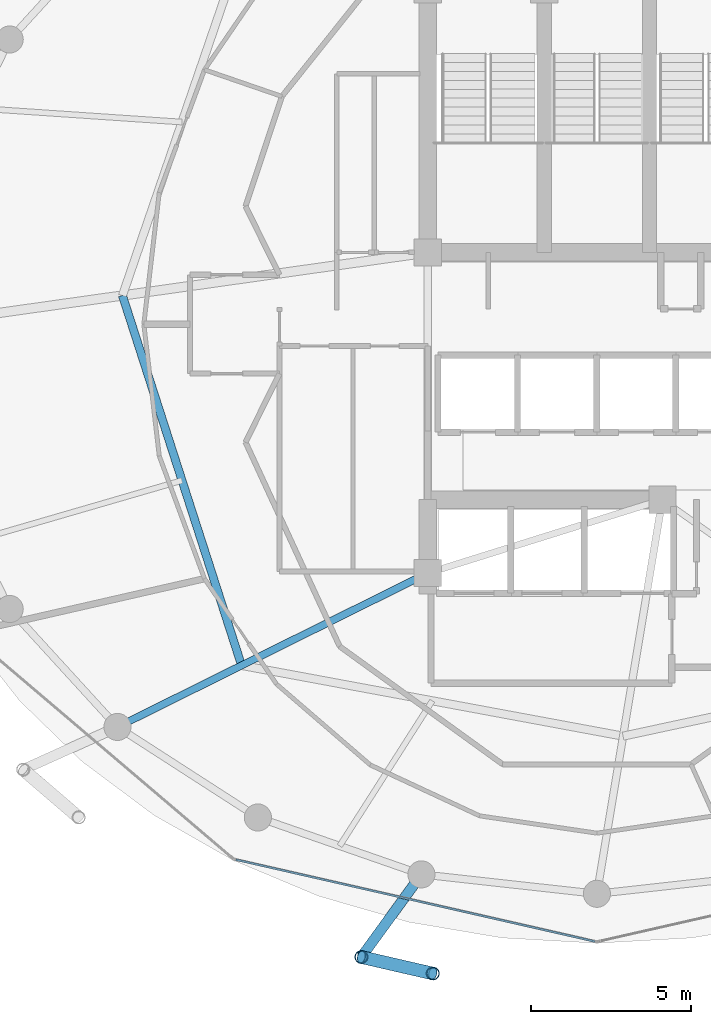
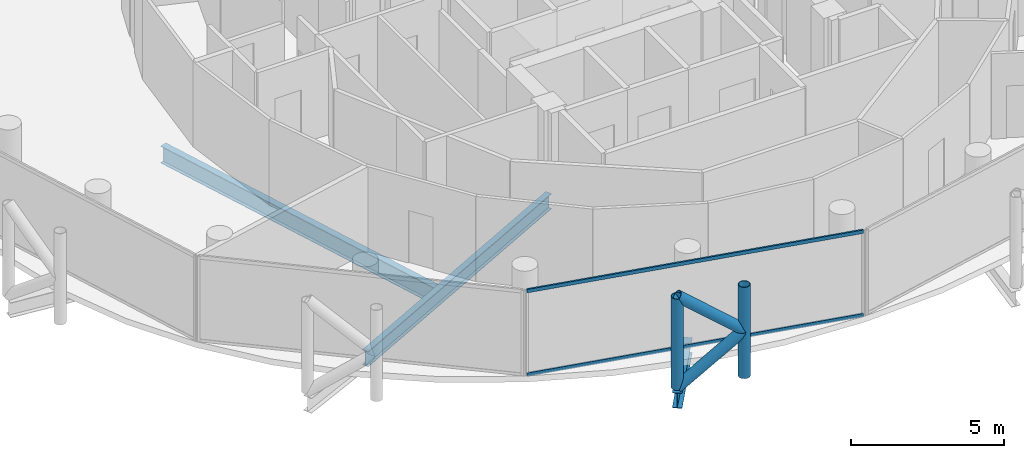
# One storey, part 4 of 27: 6 members, 3 beams, 1 element without a shape of its own.
"""IFC4 building model written with IfcOpenShell, lengths in metres."""

from ifc_helpers import new_model, si_unit, direction, frame, origin, origin_2d, place, context, subcontext, project, spatial, hollow_rectangle, hollow_circle, i_section, extrude, material, layer, layer_set, material_profile, profile_set, type_object, element, aggregate, save


model = new_model("IFC4")

# Units and contexts
model_context = context("Model", 3, precision=1e-05, world=origin(), true_north=direction((0.0, 1.0)))
body_context = subcontext(model_context, "Body", "Model", "MODEL_VIEW")
ifc_project = project(units=[si_unit("LENGTHUNIT", "METRE"), si_unit("AREAUNIT", "SQUARE_METRE"), si_unit("VOLUMEUNIT", "CUBIC_METRE"), si_unit("PLANEANGLEUNIT", "RADIAN"), si_unit("MASSUNIT", "GRAM", prefix="KILO")], contexts=[model_context])

# Site, building, storey
site_placement = place(None, origin())
site = spatial("IfcSite", under=ifc_project, at=site_placement, CompositionType="ELEMENT")
building_placement = place(site_placement, origin())
building = spatial("IfcBuilding", under=site, at=building_placement, Name="Nuhasar Tower", CompositionType="ELEMENT")
storey_placement = place(building_placement, frame((0.0, 0.0, 215.449951171875)))
storey = spatial("IfcBuildingStorey", under=building, at=storey_placement, Name="L52", CompositionType="ELEMENT", Elevation=215.449951171875)

# Beams
ifc_material_1 = material(Name="Steel S355", Category="steel")
ifc_material_profile_1 = material_profile(ifc_material_1, i_section(OverallWidth=0.25390625, OverallDepth=0.68408203125, WebThickness=0.012451171875, FlangeThickness=0.018798828125, at=origin_2d()), Name="W27X94")
ifc_profile_set_1 = profile_set([ifc_material_profile_1], Name="Steel S355")
beam_type_1 = type_object("IfcBeamType", Name="BM-INRING-W27X94", PredefinedType="BEAM", material=ifc_profile_set_1)
beam_1_placement = place(storey_placement, frame((24.1298828125, 27.699951171875, -0.58203125), z_axis=(0.306589852134, -0.951841721385, 0.0), x_axis=(0.951841721385, 0.306589852134, 0.0)))
element("IfcBeam", 1, at=beam_1_placement, inside=storey, type_object=beam_type_1, Name="L52 Inner Header Beam 08", PredefinedType="BEAM", context=body_context, shape_type="SweptSolid", body=[
    extrude(i_section(OverallWidth=0.25390625, OverallDepth=0.68408203125, WebThickness=0.012451171875, FlangeThickness=0.018798828125, at=origin_2d()), origin(), (0.0, 0.0, 1.0), 12.179443359375),
])
ifc_material_profile_2 = material_profile(ifc_material_1, i_section(OverallWidth=0.22900390625, OverallDepth=0.612060546875, WebThickness=0.011962890625, FlangeThickness=0.01953125, at=origin_2d()), Name="W24X84")
ifc_profile_set_2 = profile_set([ifc_material_profile_2], Name="Steel S355")
beam_type_2 = type_object("IfcBeamType", Name="BM-RAD-W24X84", PredefinedType="BEAM", material=ifc_profile_set_2)
beam_2_placement = place(storey_placement, frame((33.699951171875, 19.0, -0.5458984375), z_axis=(-0.895928935233, -0.444197414459, 0.0), x_axis=(0.444197414459, -0.895928935233, 0.0)))
element("IfcBeam", 2, at=beam_2_placement, inside=storey, type_object=beam_type_2, Name="L52 Radial Floor Girder 01", PredefinedType="BEAM", context=body_context, shape_type="SweptSolid", body=[
    extrude(i_section(OverallWidth=0.22900390625, OverallDepth=0.612060546875, WebThickness=0.011962890625, FlangeThickness=0.01953125, at=origin_2d()), origin(), (0.0, 0.0, 1.0), 10.85546875),
])
ifc_material_profile_3 = material_profile(ifc_material_1, i_section(OverallWidth=0.323974609375, OverallDepth=0.611083984375, WebThickness=0.0126953125, FlangeThickness=0.01904296875, at=origin_2d()), Name="W24X104")
ifc_profile_set_3 = profile_set([ifc_material_profile_3], Name="Steel S355")
beam_type_3 = type_object("IfcBeamType", Name="BM-TIE-W24X104", PredefinedType="BEAM", material=ifc_profile_set_3)
beam_3_placement = place(storey_placement, frame((33.5, 9.55810546875, -0.544921875), z_axis=(-0.588094663461, -0.808792103577, 0.0), x_axis=(0.808792103577, -0.588094663461, 0.0)))
element("IfcBeam", 3, at=beam_3_placement, inside=storey, type_object=beam_type_3, Name="L52 Exoskeleton Node Tie Beam 09", PredefinedType="BEAM", context=body_context, shape_type="SweptSolid", body=[
    extrude(i_section(OverallWidth=0.323974609375, OverallDepth=0.611083984375, WebThickness=0.0126953125, FlangeThickness=0.01904296875, at=origin_2d()), origin(), (0.0, 0.0, 1.0), 3.20361328125),
])

# Curtain wall, members
ifc_material_2 = material(Name="Aluminium 6063-T6", Category="aluminium")
ifc_layer = layer(ifc_material_2, 0.18994140625)
ifc_layer_set = layer_set([ifc_layer], Name="Aluminium 6063-T6")
curtain_wall_type = type_object("IfcCurtainWallType", Name="CW-Z3-RES", PredefinedType="NOTDEFINED", material=ifc_layer_set)
curtain_wall_placement = place(storey_placement, origin())
curtain_wall = element("IfcCurtainWall", 4, at=curtain_wall_placement, inside=storey, type_object=curtain_wall_type, Name="L52 Unitised Curtain Wall 09", PredefinedType="NOTDEFINED")
ifc_material_profile_4 = material_profile(ifc_material_2, hollow_rectangle(XDim=0.06494140625, YDim=0.139892578125, WallThickness=0.00439453125, at=origin_2d()), Name="CWT-4")
ifc_profile_set_4 = profile_set([ifc_material_profile_4], Name="Aluminium 6063-T6")
member_type_1 = type_object("IfcMemberType", Name="CW-TRN-S4", PredefinedType="USERDEFINED", material=ifc_profile_set_4)
member_1_placement = place(storey_placement, frame((27.683349609375, 10.01953125, 0.032470703125), z_axis=(0.974989487479, -0.222250982686, 0.0), x_axis=(0.222250982686, 0.974989487479, 0.0)))
member_1 = element("IfcMember", 5, at=member_1_placement, type_object=member_type_1, Name="CW-Z3 transom 1.1", ObjectType="TRANSOM", PredefinedType="USERDEFINED", context=body_context, shape_type="SweptSolid", body=[
    extrude(hollow_rectangle(XDim=0.06494140625, YDim=0.139892578125, WallThickness=0.00439453125, at=origin_2d()), origin(), (0.0, 0.0, 1.0), 11.541748046875),
])
member_2_placement = place(storey_placement, frame((27.683349609375, 10.01953125, 3.37744140625), z_axis=(0.974989487479, -0.222250982686, 0.0), x_axis=(0.222250982686, 0.974989487479, 0.0)))
member_2 = element("IfcMember", 6, at=member_2_placement, type_object=member_type_1, Name="CW-Z3 transom 1.2", ObjectType="TRANSOM", PredefinedType="USERDEFINED", context=body_context, shape_type="SweptSolid", body=[
    extrude(hollow_rectangle(XDim=0.06494140625, YDim=0.139892578125, WallThickness=0.00439453125, at=origin_2d()), origin(), (0.0, 0.0, 1.0), 11.541748046875),
])
aggregate(curtain_wall, [member_1, member_2])

# Members
ifc_material_3 = material(Name="Steel S460", Category="steel")
ifc_material_profile_5 = material_profile(ifc_material_3, hollow_circle(Radius=0.203125, WallThickness=0.01904296875, at=origin_2d()), Name="HSS406.4X19.1")
ifc_profile_set_5 = profile_set([ifc_material_profile_5], Name="Steel S460")
member_type_2 = type_object("IfcMemberType", Name="EXO-BRONZE-406", PredefinedType="BRACE", material=ifc_profile_set_5)
for number, where, z_axis, x_axis, name in (
    (7, (31.615966796875, 6.967041015625, 0.0), (0.0, 0.0, 1.0), (1.0, 0.0, 0.0), "L52 Exoskeleton Chord Column EC-09A"),
    (8, (33.85693359375, 6.450927734375, 0.0), (0.0, 0.0, 1.0), (1.0, 0.0, 0.0), "L52 Exoskeleton Chord Column EC-09B"),
):
    element("IfcMember", number, at=place(storey_placement, frame(where, z_axis=z_axis, x_axis=x_axis)), inside=storey, type_object=member_type_2, Name=name, PredefinedType="BRACE", context=body_context, shape_type="SweptSolid", body=[
        extrude(hollow_circle(Radius=0.203125, WallThickness=0.01904296875, at=origin_2d()), origin(), (0.0, 0.0, 1.0), 3.650146484375),
    ])
member_3_placement = place(storey_placement, frame((31.615966796875, 6.967041015625, 0.0), z_axis=(0.76333158458, -0.175801609086, 0.621625841021), x_axis=(0.224433035437, 0.97448951385, 0.0)))
element("IfcMember", 9, at=member_3_placement, inside=storey, type_object=member_type_2, Name="L52 Bronze Diagrid Brace W1-09", PredefinedType="BRACE", context=body_context, shape_type="SweptSolid", body=[
    extrude(hollow_circle(Radius=0.203125, WallThickness=0.01904296875, at=origin_2d()), origin(), (0.0, 0.0, 1.0), 2.935791015625),
])
member_4_placement = place(storey_placement, frame((33.85693359375, 6.450927734375, 1.824951171875), z_axis=(-0.763292124721, 0.175792521153, 0.621676862884), x_axis=(-0.224433035437, -0.97448951385, 0.0)))
element("IfcMember", 10, at=member_4_placement, inside=storey, type_object=member_type_2, Name="L52 Bronze Diagrid Brace W2-09", PredefinedType="BRACE", context=body_context, shape_type="SweptSolid", body=[
    extrude(hollow_circle(Radius=0.203125, WallThickness=0.01904296875, at=origin_2d()), origin(), (0.0, 0.0, 1.0), 2.93603515625),
])

save(model, "model.ifc")
